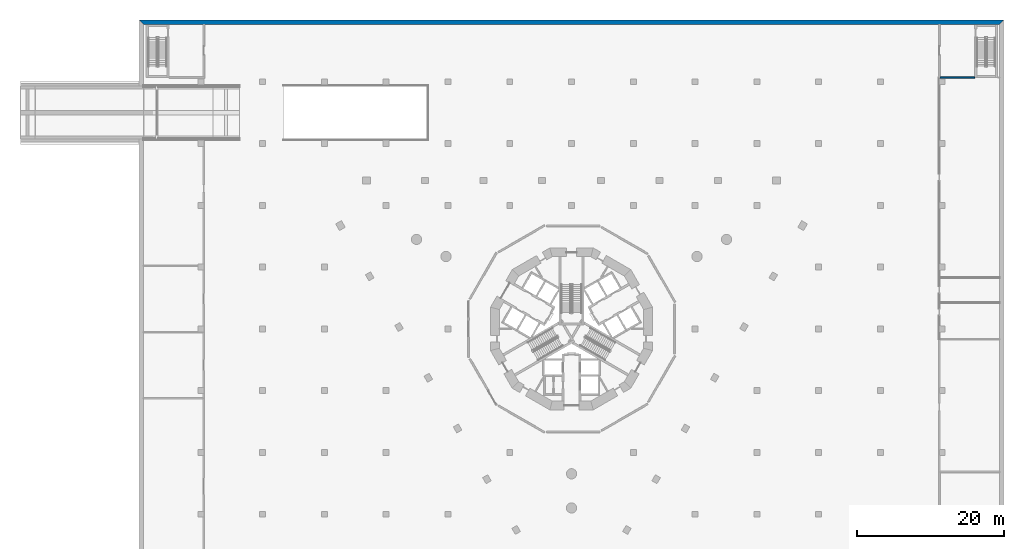
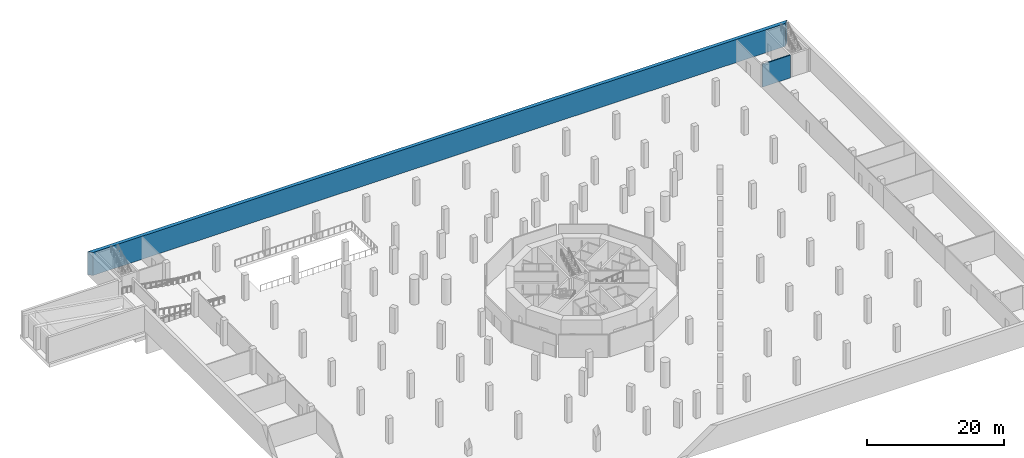
# One storey, part 10 of 21: 2 walls.
"""IFC4 building model written with IfcOpenShell, lengths in metres."""

from ifc_helpers import new_model, si_unit, direction, frame, frame_2d, origin, place, context, subcontext, project, spatial, polyline, rectangle, outline, extrude, material, layer, layer_set, type_object, element, save


model = new_model("IFC4")

# Units and contexts
model_context = context("Model", 3, precision=1e-05, world=origin(), true_north=direction((0.0, 1.0)))
body_context = subcontext(model_context, "Body", "Model", "MODEL_VIEW")
ifc_project = project(units=[si_unit("LENGTHUNIT", "METRE"), si_unit("AREAUNIT", "SQUARE_METRE"), si_unit("VOLUMEUNIT", "CUBIC_METRE"), si_unit("PLANEANGLEUNIT", "RADIAN"), si_unit("MASSUNIT", "GRAM", prefix="KILO")], contexts=[model_context])

# Site, building, storey
site_placement = place(None, origin())
site = spatial("IfcSite", under=ifc_project, at=site_placement, CompositionType="ELEMENT")
building_placement = place(site_placement, origin())
building = spatial("IfcBuilding", under=site, at=building_placement, Name="Trine Commons Tower", CompositionType="ELEMENT")
storey_placement = place(building_placement, frame((0.0, 0.0, -4.5)))
storey = spatial("IfcBuildingStorey", under=building, at=storey_placement, Name="B1", CompositionType="ELEMENT", Elevation=-4.5)

# Walls
ifc_material_1 = material(Name="Plasterboard on steel stud", Category="steel")
ifc_layer_1 = layer(ifc_material_1, 0.199951171875)
ifc_layer_set_1 = layer_set([ifc_layer_1], Name="Plasterboard on steel stud")
wall_type_1 = type_object("IfcWallType", Name="Fire wall 200 mm, EI 120", PredefinedType="PARTITIONING", material=ifc_layer_set_1)
wall_1_placement = place(storey_placement, frame((130.10009765625, 96.679931640625, 0.0), z_axis=(0.0, 0.0, 1.0), x_axis=(1.0, 0.0, 0.0)))
element("IfcWall", 1, at=wall_1_placement, inside=storey, type_object=wall_type_1, Name="Partition B1033", PredefinedType="PARTITIONING", context=body_context, shape_type="SweptSolid", body=[
    extrude(rectangle(XDim=4.7001953125, YDim=0.199951171875, at=frame_2d((2.35009765625, 0.0))), origin(), (0.0, 0.0, 1.0), 4.050048828125),
])
ifc_material_2 = material(Name="Concrete C40/50", Category="concrete")
ifc_layer_2 = layer(ifc_material_2, 0.60009765625)
ifc_layer_set_2 = layer_set([ifc_layer_2], Name="Concrete C40/50")
wall_type_2 = type_object("IfcWallType", Name="RC retaining wall 600 mm, C40/50", PredefinedType="SOLIDWALL", material=ifc_layer_set_2)
wall_2_placement = place(storey_placement, frame((138.5, 104.199951171875, 0.0), z_axis=(0.0, 0.0, 1.0), x_axis=(-1.0, 0.0, 0.0)))
element("IfcWall", 2, at=wall_2_placement, inside=storey, type_object=wall_type_2, Name="Retaining wall B1 N", PredefinedType="SOLIDWALL", context=body_context, shape_type="SweptSolid", body=[
    extrude(outline(polyline([(-0.300048828125, -0.300048828125), (117.300048828125, -0.300048828125), (116.699951171875, 0.300048828125), (0.300048828125, 0.300048828125), (-0.300048828125, -0.300048828125)])), origin(), (0.0, 0.0, 1.0), 4.10009765625),
])

save(model, "model.ifc")
